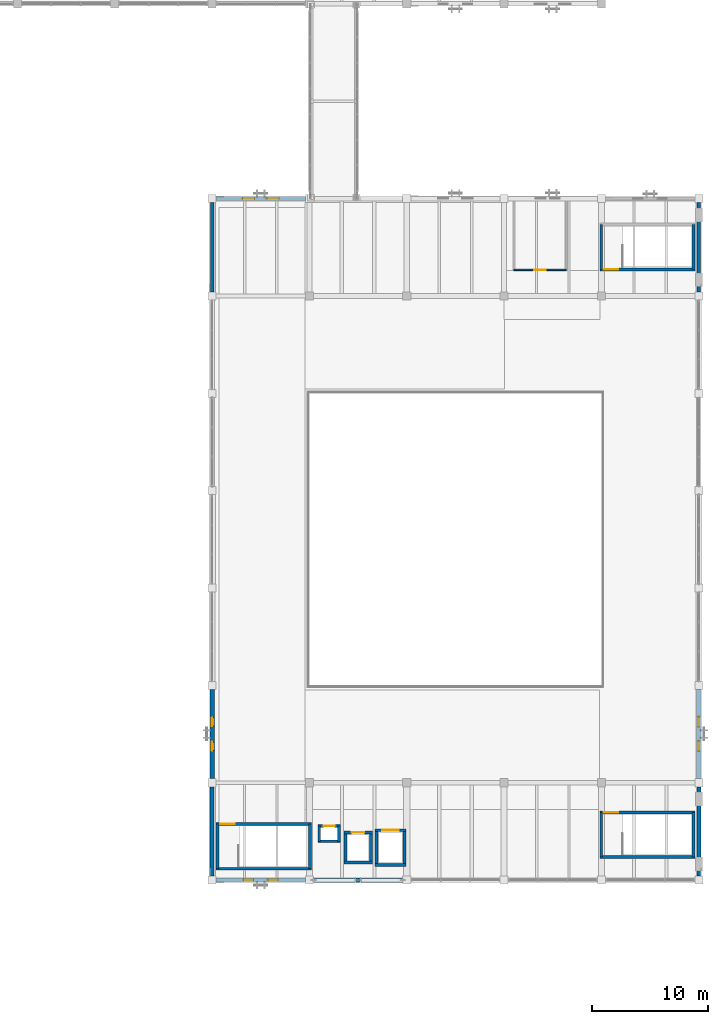
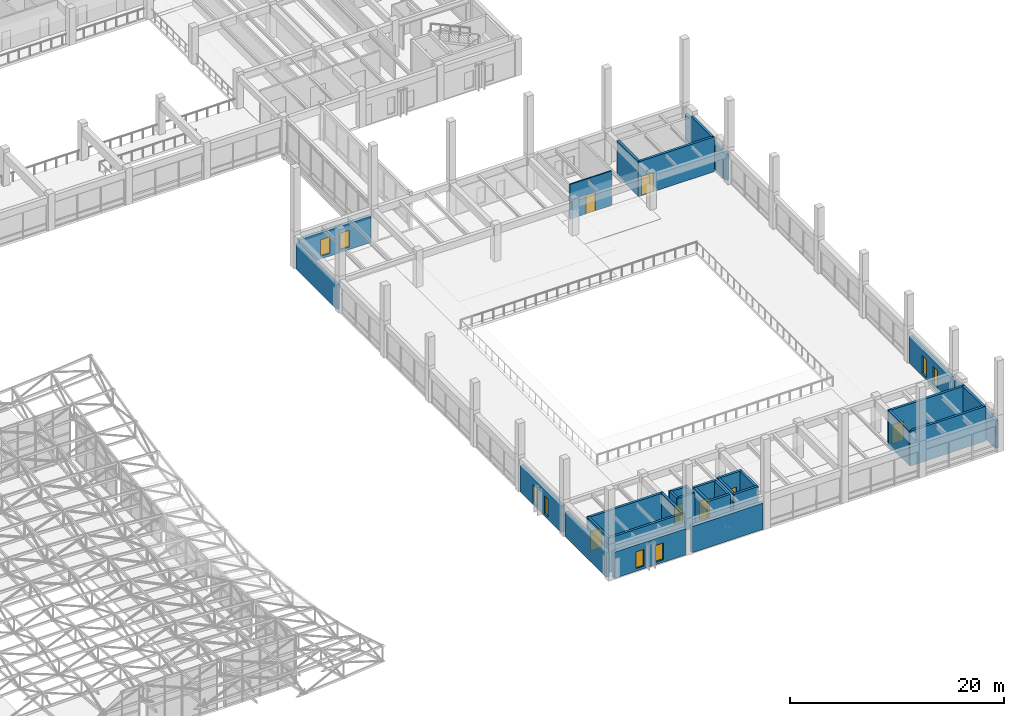
# One storey, part 94 of 132: 33 walls, 8 windows, 7 doors, 15 openings.
"""IFC4 building model written with IfcOpenShell, lengths in metres."""

from ifc_helpers import new_model, si_unit, direction, frame, frame_2d, origin, place, context, subcontext, project, spatial, rectangle, extrude, material, layer, layer_set, type_object, element, fill, save


model = new_model("IFC4")

# Units and contexts
model_context = context("Model", 3, precision=1e-05, world=origin(), true_north=direction((0.0, 1.0)))
body_context = subcontext(model_context, "Body", "Model", "MODEL_VIEW")
ifc_project = project(units=[si_unit("LENGTHUNIT", "METRE"), si_unit("AREAUNIT", "SQUARE_METRE"), si_unit("VOLUMEUNIT", "CUBIC_METRE"), si_unit("PLANEANGLEUNIT", "RADIAN"), si_unit("MASSUNIT", "GRAM", prefix="KILO")], contexts=[model_context])

# Site, building, storey
site_placement = place(None, origin())
site = spatial("IfcSite", under=ifc_project, at=site_placement, CompositionType="ELEMENT")
building_placement = place(site_placement, origin())
building = spatial("IfcBuilding", under=site, at=building_placement, Name="Cumbredor Promenade Congress Hotel", CompositionType="ELEMENT")
storey_placement = place(building_placement, frame((0.0, 0.0, 7.56005859375)))
storey = spatial("IfcBuildingStorey", under=building, at=storey_placement, Name="L02", CompositionType="ELEMENT", Elevation=7.56005859375)

# Walls
ifc_material_1 = material(Name="Concrete C40/50", Category="concrete")
ifc_layer_1 = layer(ifc_material_1, 0.300048828125, Name="Concrete C40/50", Category="concrete")
ifc_layer_set_1 = layer_set([ifc_layer_1], Name="Concrete C40/50")
wall_type_1 = type_object("IfcWallType", Name="WL-EXT-300", PredefinedType="SOLIDWALL", material=ifc_layer_set_1)
wall_1_placement = place(storey_placement, frame((142.800048828125, 59.15087890625, 0.0), z_axis=(0.0, 0.0, 1.0), x_axis=(0.0, 1.0, 0.0)))
element("IfcWall", 1, at=wall_1_placement, inside=storey, type_object=wall_type_1, Name="L02 Grand Ballroom Pavilion West Envelope Wall 7", PredefinedType="SOLIDWALL", context=body_context, shape_type="SweptSolid", body=[
    extrude(rectangle(XDim=7.6982421875, YDim=0.300048828125, at=frame_2d((3.84912109375, 0.0))), origin(), (0.0, 0.0, 1.0), 2.8349609375),
])
wall_2_placement = place(storey_placement, frame((184.800048828125, 59.15087890625, 0.0), z_axis=(0.0, 0.0, 1.0), x_axis=(0.0, 1.0, 0.0)))
element("IfcWall", 2, at=wall_2_placement, inside=storey, type_object=wall_type_1, Name="L02 Grand Ballroom Pavilion East Envelope Wall 7", PredefinedType="SOLIDWALL", context=body_context, shape_type="SweptSolid", body=[
    extrude(rectangle(XDim=7.6982421875, YDim=0.300048828125, at=frame_2d((3.84912109375, 0.0))), origin(), (0.0, 0.0, 1.0), 2.93505859375),
])

# Wall, openings, windows
ifc_layer_2 = layer(ifc_material_1, 0.35009765625, Name="Concrete C40/50", Category="concrete")
ifc_layer_set_2 = layer_set([ifc_layer_2], Name="Concrete C40/50")
wall_type_2 = type_object("IfcWallType", Name="WL-EXT-350", PredefinedType="SOLIDWALL", material=ifc_layer_set_2)
wall_3_placement = place(storey_placement, frame((143.15087890625, 8.39990234375, 0.0), z_axis=(0.0, 0.0, 1.0), x_axis=(1.0, 0.0, 0.0)))
wall_3 = element("IfcWall", 3, at=wall_3_placement, inside=storey, type_object=wall_type_2, Name="L02 Grand Ballroom Pavilion South Envelope Wall 1", PredefinedType="SOLIDWALL", context=body_context, shape_type="SweptSolid", body=[
    extrude(rectangle(XDim=7.6982421875, YDim=0.35009765625, at=frame_2d((3.84912109375, 0.0))), origin(), (0.0, 0.0, 1.0), 2.98486328125),
])
opening_1_placement = place(wall_3_placement, frame((2.3740234375, 0.0, 0.300048828125)))
opening_1 = element("IfcOpeningElement", 4, at=opening_1_placement, cuts=wall_3, Name="Opening WN-67", PredefinedType="OPENING", context=body_context, shape_type="SweptSolid", body=[
    extrude(rectangle(XDim=0.85009765625, YDim=1.89990234375, at=frame_2d((0.425048828125, 0.949951171875))), frame((0.0, 0.18505859375, 0.0), z_axis=(0.0, -1.0, 0.0), x_axis=(1.0, 0.0, 0.0)), (0.0, 0.0, 1.0), 0.3701171875),
])
opening_2_placement = place(wall_3_placement, frame((4.47412109375, 0.0, 0.300048828125)))
opening_2 = element("IfcOpeningElement", 5, at=opening_2_placement, cuts=wall_3, Name="Opening WN-67", PredefinedType="OPENING", context=body_context, shape_type="SweptSolid", body=[
    extrude(rectangle(XDim=0.85009765625, YDim=1.89990234375, at=frame_2d((0.425048828125, 0.949951171875))), frame((0.0, 0.18505859375, 0.0), z_axis=(0.0, -1.0, 0.0), x_axis=(1.0, 0.0, 0.0)), (0.0, 0.0, 1.0), 0.3701171875),
])
ifc_material_2 = material(Name="Thermally broken anodized aluminium and low-E glass", Category="aluminium")
window_type_1 = type_object("IfcWindowType", Name="Vertical Slot Window WN-67 850x1900", PartitioningType="SINGLE_PANEL", PredefinedType="WINDOW", material=ifc_material_2)
window_1_placement = place(opening_1_placement, origin())
window_1 = element("IfcWindow", 6, at=window_1_placement, inside=storey, type_object=window_type_1, Name="L02 Vertical Slot Window 0246", OverallHeight=1.89990234375, OverallWidth=0.85009765625, PartitioningType="SINGLE_PANEL", PredefinedType="WINDOW", context=body_context, shape_type="SweptSolid", body=[
    extrude(rectangle(XDim=0.85009765625, YDim=1.89990234375, at=frame_2d((0.425048828125, 0.949951171875))), frame((0.0, 0.030029296875, 0.0), z_axis=(0.0, -1.0, 0.0), x_axis=(1.0, 0.0, 0.0)), (0.0, 0.0, 1.0), 0.06005859375),
])
fill(opening_1, window_1)
window_2_placement = place(opening_2_placement, origin())
window_2 = element("IfcWindow", 7, at=window_2_placement, inside=storey, type_object=window_type_1, Name="L02 Vertical Slot Window 0247", OverallHeight=1.89990234375, OverallWidth=0.85009765625, PartitioningType="SINGLE_PANEL", PredefinedType="WINDOW", context=body_context, shape_type="SweptSolid", body=[
    extrude(rectangle(XDim=0.85009765625, YDim=1.89990234375, at=frame_2d((0.425048828125, 0.949951171875))), frame((0.0, 0.030029296875, 0.0), z_axis=(0.0, -1.0, 0.0), x_axis=(1.0, 0.0, 0.0)), (0.0, 0.0, 1.0), 0.06005859375),
])
fill(opening_2, window_2)

wall_4_placement = place(storey_placement, frame((143.15087890625, 67.199951171875, 0.0), z_axis=(0.0, 0.0, 1.0), x_axis=(1.0, 0.0, 0.0)))
wall_4 = element("IfcWall", 8, at=wall_4_placement, inside=storey, type_object=wall_type_2, Name="L02 Grand Ballroom Pavilion North Envelope Wall 1", PredefinedType="SOLIDWALL", context=body_context, shape_type="SweptSolid", body=[
    extrude(rectangle(XDim=7.6982421875, YDim=0.35009765625, at=frame_2d((3.84912109375, 0.0))), origin(), (0.0, 0.0, 1.0), 2.98486328125),
])
opening_3_placement = place(wall_4_placement, frame((2.2890625, 0.0, 0.300048828125)))
opening_3 = element("IfcOpeningElement", 9, at=opening_3_placement, cuts=wall_4, Name="Opening WN-69", PredefinedType="OPENING", context=body_context, shape_type="SweptSolid", body=[
    extrude(rectangle(XDim=1.02001953125, YDim=1.89990234375, at=frame_2d((0.510009765625, 0.949951171875))), frame((0.0, 0.18505859375, 0.0), z_axis=(0.0, -1.0, 0.0), x_axis=(1.0, 0.0, 0.0)), (0.0, 0.0, 1.0), 0.3701171875),
])
opening_4_placement = place(wall_4_placement, frame((4.388916015625, 0.0, 0.300048828125)))
opening_4 = element("IfcOpeningElement", 10, at=opening_4_placement, cuts=wall_4, Name="Opening WN-69", PredefinedType="OPENING", context=body_context, shape_type="SweptSolid", body=[
    extrude(rectangle(XDim=1.02001953125, YDim=1.89990234375, at=frame_2d((0.510009765625, 0.949951171875))), frame((0.0, 0.18505859375, 0.0), z_axis=(0.0, -1.0, 0.0), x_axis=(1.0, 0.0, 0.0)), (0.0, 0.0, 1.0), 0.3701171875),
])
window_type_2 = type_object("IfcWindowType", Name="Vertical Slot Window WN-69 1020x1900", PartitioningType="SINGLE_PANEL", PredefinedType="WINDOW", material=ifc_material_2)
window_3_placement = place(opening_3_placement, origin())
window_3 = element("IfcWindow", 11, at=window_3_placement, inside=storey, type_object=window_type_2, Name="L02 Vertical Slot Window 0248", OverallHeight=1.89990234375, OverallWidth=1.02001953125, PartitioningType="SINGLE_PANEL", PredefinedType="WINDOW", context=body_context, shape_type="SweptSolid", body=[
    extrude(rectangle(XDim=1.02001953125, YDim=1.89990234375, at=frame_2d((0.510009765625, 0.949951171875))), frame((0.0, 0.030029296875, 0.0), z_axis=(0.0, -1.0, 0.0), x_axis=(1.0, 0.0, 0.0)), (0.0, 0.0, 1.0), 0.06005859375),
])
fill(opening_3, window_3)
window_4_placement = place(opening_4_placement, origin())
window_4 = element("IfcWindow", 12, at=window_4_placement, inside=storey, type_object=window_type_2, Name="L02 Vertical Slot Window 0249", OverallHeight=1.89990234375, OverallWidth=1.02001953125, PartitioningType="SINGLE_PANEL", PredefinedType="WINDOW", context=body_context, shape_type="SweptSolid", body=[
    extrude(rectangle(XDim=1.02001953125, YDim=1.89990234375, at=frame_2d((0.510009765625, 0.949951171875))), frame((0.0, 0.030029296875, 0.0), z_axis=(0.0, -1.0, 0.0), x_axis=(1.0, 0.0, 0.0)), (0.0, 0.0, 1.0), 0.06005859375),
])
fill(opening_4, window_4)

# Walls
wall_5_placement = place(storey_placement, frame((142.800048828125, 8.7509765625, 0.0), z_axis=(0.0, 0.0, 1.0), x_axis=(0.0, 1.0, 0.0)))
element("IfcWall", 13, at=wall_5_placement, inside=storey, type_object=wall_type_2, Name="L02 Grand Ballroom Pavilion West Envelope Wall 1", PredefinedType="SOLIDWALL", context=body_context, shape_type="SweptSolid", body=[
    extrude(rectangle(XDim=7.697998046875, YDim=0.35009765625, at=frame_2d((3.84912109375, 0.0))), origin(), (0.0, 0.0, 1.0), 2.8349609375),
])
wall_6_placement = place(storey_placement, frame((184.800048828125, 8.7509765625, 0.0), z_axis=(0.0, 0.0, 1.0), x_axis=(0.0, 1.0, 0.0)))
element("IfcWall", 14, at=wall_6_placement, inside=storey, type_object=wall_type_2, Name="L02 Grand Ballroom Pavilion East Envelope Wall 1", PredefinedType="SOLIDWALL", context=body_context, shape_type="SweptSolid", body=[
    extrude(rectangle(XDim=7.697998046875, YDim=0.35009765625, at=frame_2d((3.84912109375, 0.0))), origin(), (0.0, 0.0, 1.0), 3.135009765625),
])
ifc_layer_3 = layer(ifc_material_1, 0.3798828125, Name="Concrete C40/50", Category="concrete")
ifc_layer_set_3 = layer_set([ifc_layer_3], Name="Concrete C40/50")
wall_type_3 = type_object("IfcWallType", Name="WL-EXT-380", PredefinedType="SOLIDWALL", material=ifc_layer_set_3)
wall_7_placement = place(storey_placement, frame((151.551025390625, 8.39990234375, 0.0), z_axis=(0.0, 0.0, 1.0), x_axis=(1.0, 0.0, 0.0)))
element("IfcWall", 15, at=wall_7_placement, inside=storey, type_object=wall_type_3, Name="L02 Grand Ballroom Pavilion South Envelope Wall 2", PredefinedType="SOLIDWALL", context=body_context, shape_type="SweptSolid", body=[
    extrude(rectangle(XDim=7.697998046875, YDim=0.3798828125, at=frame_2d((3.84912109375, 0.0))), origin(), (0.0, 0.0, 1.0), 2.98486328125),
])

# Wall, openings, windows
wall_8_placement = place(storey_placement, frame((142.800048828125, 17.15087890625, 0.0), z_axis=(0.0, 0.0, 1.0), x_axis=(0.0, 1.0, 0.0)))
wall_8 = element("IfcWall", 16, at=wall_8_placement, inside=storey, type_object=wall_type_3, Name="L02 Grand Ballroom Pavilion West Envelope Wall 2", PredefinedType="SOLIDWALL", context=body_context, shape_type="SweptSolid", body=[
    extrude(rectangle(XDim=7.6982421875, YDim=0.3798828125, at=frame_2d((3.84912109375, 0.0))), origin(), (0.0, 0.0, 1.0), 3.034912109375),
])
opening_5_placement = place(wall_8_placement, frame((2.428955078125, 0.0, 0.300048828125)))
opening_5 = element("IfcOpeningElement", 17, at=opening_5_placement, cuts=wall_8, Name="Opening WN-53", PredefinedType="OPENING", context=body_context, shape_type="SweptSolid", body=[
    extrude(rectangle(XDim=0.739990234375, YDim=2.050048828125, at=frame_2d((0.3701171875, 1.02490234375))), frame((0.0, 0.199951171875, 0.0), z_axis=(0.0, -1.0, 0.0), x_axis=(1.0, 0.0, 0.0)), (0.0, 0.0, 1.0), 0.39990234375),
])
opening_6_placement = place(wall_8_placement, frame((4.529052734375, 0.0, 0.300048828125)))
opening_6 = element("IfcOpeningElement", 18, at=opening_6_placement, cuts=wall_8, Name="Opening WN-53", PredefinedType="OPENING", context=body_context, shape_type="SweptSolid", body=[
    extrude(rectangle(XDim=0.739990234375, YDim=2.050048828125, at=frame_2d((0.3701171875, 1.02490234375))), frame((0.0, 0.199951171875, 0.0), z_axis=(0.0, -1.0, 0.0), x_axis=(1.0, 0.0, 0.0)), (0.0, 0.0, 1.0), 0.39990234375),
])
window_type_3 = type_object("IfcWindowType", Name="Vertical Slot Window WN-53 740x2050", PartitioningType="SINGLE_PANEL", PredefinedType="WINDOW", material=ifc_material_2)
window_5_placement = place(opening_5_placement, origin())
window_5 = element("IfcWindow", 19, at=window_5_placement, inside=storey, type_object=window_type_3, Name="L02 Vertical Slot Window 0256", OverallHeight=2.050048828125, OverallWidth=0.739990234375, PartitioningType="SINGLE_PANEL", PredefinedType="WINDOW", context=body_context, shape_type="SweptSolid", body=[
    extrude(rectangle(XDim=0.739990234375, YDim=2.050048828125, at=frame_2d((0.3701171875, 1.02490234375))), frame((0.0, 0.030029296875, 0.0), z_axis=(0.0, -1.0, 0.0), x_axis=(1.0, 0.0, 0.0)), (0.0, 0.0, 1.0), 0.06005859375),
])
fill(opening_5, window_5)
window_6_placement = place(opening_6_placement, origin())
window_6 = element("IfcWindow", 20, at=window_6_placement, inside=storey, type_object=window_type_3, Name="L02 Vertical Slot Window 0257", OverallHeight=2.050048828125, OverallWidth=0.739990234375, PartitioningType="SINGLE_PANEL", PredefinedType="WINDOW", context=body_context, shape_type="SweptSolid", body=[
    extrude(rectangle(XDim=0.739990234375, YDim=2.050048828125, at=frame_2d((0.3701171875, 1.02490234375))), frame((0.0, 0.030029296875, 0.0), z_axis=(0.0, -1.0, 0.0), x_axis=(1.0, 0.0, 0.0)), (0.0, 0.0, 1.0), 0.06005859375),
])
fill(opening_6, window_6)

wall_9_placement = place(storey_placement, frame((184.800048828125, 17.15087890625, 0.0), z_axis=(0.0, 0.0, 1.0), x_axis=(0.0, 1.0, 0.0)))
wall_9 = element("IfcWall", 21, at=wall_9_placement, inside=storey, type_object=wall_type_3, Name="L02 Grand Ballroom Pavilion East Envelope Wall 2", PredefinedType="SOLIDWALL", context=body_context, shape_type="SweptSolid", body=[
    extrude(rectangle(XDim=7.6982421875, YDim=0.3798828125, at=frame_2d((3.84912109375, 0.0))), origin(), (0.0, 0.0, 1.0), 3.034912109375),
])
opening_7_placement = place(wall_9_placement, frame((2.368896484375, 0.0, 0.300048828125)))
opening_7 = element("IfcOpeningElement", 22, at=opening_7_placement, cuts=wall_9, Name="Opening WN-55", PredefinedType="OPENING", context=body_context, shape_type="SweptSolid", body=[
    extrude(rectangle(XDim=0.860107421875, YDim=2.050048828125, at=frame_2d((0.43017578125, 1.02490234375))), frame((0.0, 0.199951171875, 0.0), z_axis=(0.0, -1.0, 0.0), x_axis=(1.0, 0.0, 0.0)), (0.0, 0.0, 1.0), 0.39990234375),
])
opening_8_placement = place(wall_9_placement, frame((4.468994140625, 0.0, 0.300048828125)))
opening_8 = element("IfcOpeningElement", 23, at=opening_8_placement, cuts=wall_9, Name="Opening WN-55", PredefinedType="OPENING", context=body_context, shape_type="SweptSolid", body=[
    extrude(rectangle(XDim=0.860107421875, YDim=2.050048828125, at=frame_2d((0.43017578125, 1.02490234375))), frame((0.0, 0.199951171875, 0.0), z_axis=(0.0, -1.0, 0.0), x_axis=(1.0, 0.0, 0.0)), (0.0, 0.0, 1.0), 0.39990234375),
])
window_type_4 = type_object("IfcWindowType", Name="Vertical Slot Window WN-55 860x2050", PartitioningType="SINGLE_PANEL", PredefinedType="WINDOW", material=ifc_material_2)
window_7_placement = place(opening_7_placement, origin())
window_7 = element("IfcWindow", 24, at=window_7_placement, inside=storey, type_object=window_type_4, Name="L02 Vertical Slot Window 0258", OverallHeight=2.050048828125, OverallWidth=0.860107421875, PartitioningType="SINGLE_PANEL", PredefinedType="WINDOW", context=body_context, shape_type="SweptSolid", body=[
    extrude(rectangle(XDim=0.860107421875, YDim=2.050048828125, at=frame_2d((0.43017578125, 1.02490234375))), frame((0.0, 0.030029296875, 0.0), z_axis=(0.0, -1.0, 0.0), x_axis=(1.0, 0.0, 0.0)), (0.0, 0.0, 1.0), 0.06005859375),
])
fill(opening_7, window_7)
window_8_placement = place(opening_8_placement, origin())
window_8 = element("IfcWindow", 25, at=window_8_placement, inside=storey, type_object=window_type_4, Name="L02 Vertical Slot Window 0259", OverallHeight=2.050048828125, OverallWidth=0.860107421875, PartitioningType="SINGLE_PANEL", PredefinedType="WINDOW", context=body_context, shape_type="SweptSolid", body=[
    extrude(rectangle(XDim=0.860107421875, YDim=2.050048828125, at=frame_2d((0.43017578125, 1.02490234375))), frame((0.0, 0.030029296875, 0.0), z_axis=(0.0, -1.0, 0.0), x_axis=(1.0, 0.0, 0.0)), (0.0, 0.0, 1.0), 0.06005859375),
])
fill(opening_8, window_8)

# Wall, opening, door
ifc_material_3 = material(Name="Acoustic gypsum partition on steel studs", Category="steel")
ifc_layer_4 = layer(ifc_material_3, 0.139892578125, Name="Acoustic gypsum partition on steel studs", Category="steel")
ifc_layer_set_4 = layer_set([ifc_layer_4], Name="Acoustic gypsum partition on steel studs")
wall_type_4 = type_object("IfcWallType", Name="WL-PART-140", PredefinedType="PARTITIONING", material=ifc_layer_set_4)
wall_10_placement = place(storey_placement, frame((168.85009765625, 61.050048828125, 0.0), z_axis=(0.0, 0.0, 1.0), x_axis=(1.0, 0.0, 0.0)))
wall_10 = element("IfcWall", 26, at=wall_10_placement, inside=storey, type_object=wall_type_4, Name="L02 Interior Partition W-L02-V2-WC", PredefinedType="PARTITIONING", context=body_context, shape_type="SweptSolid", body=[
    extrude(rectangle(XDim=4.5, YDim=0.139892578125, at=frame_2d((2.25, 0.0))), origin(), (0.0, 0.0, 1.0), 3.96484375),
])
opening_9_placement = place(wall_10_placement, frame((1.75, 0.0, 0.0)))
opening_9 = element("IfcOpeningElement", 27, at=opening_9_placement, cuts=wall_10, Name="Opening ID-03", PredefinedType="OPENING", context=body_context, shape_type="SweptSolid", body=[
    extrude(rectangle(XDim=1.0, YDim=2.10009765625, at=frame_2d((0.5, 1.050048828125))), frame((0.0, 0.080078125, 0.0), z_axis=(0.0, -1.0, 0.0), x_axis=(1.0, 0.0, 0.0)), (0.0, 0.0, 1.0), 0.159912109375),
])
ifc_material_4 = material(Name="Kiln-dried tropical hardwood", Category="wood")
door_type_1 = type_object("IfcDoorType", Name="DR-ACC-1000", OperationType="NOTDEFINED", PredefinedType="DOOR", material=ifc_material_4)
door_1_placement = place(opening_9_placement, origin())
door_1 = element("IfcDoor", 28, at=door_1_placement, inside=storey, type_object=door_type_1, Name="L02 Interior Door W-L02-V2-WC-01", OperationType="SINGLE_SWING_RIGHT", OverallHeight=2.10009765625, OverallWidth=1.0, PredefinedType="DOOR", context=body_context, shape_type="SweptSolid", body=[
    extrude(rectangle(XDim=1.0, YDim=2.10009765625, at=frame_2d((0.5, 1.050048828125))), frame((0.0, 0.02490234375, 0.0), z_axis=(0.0, -1.0, 0.0), x_axis=(1.0, 0.0, 0.0)), (0.0, 0.0, 1.0), 0.050048828125),
])
fill(opening_9, door_1)

# Wall
ifc_layer_5 = layer(ifc_material_1, 0.2548828125, Name="Concrete C40/50", Category="concrete")
ifc_layer_set_5 = layer_set([ifc_layer_5], Name="Concrete C40/50")
wall_type_5 = type_object("IfcWallType", Name="WL-SHAFT-250", PredefinedType="SOLIDWALL", material=ifc_layer_set_5)
wall_11_placement = place(storey_placement, frame((143.152587890625, 9.3798828125, 0.0), z_axis=(0.0, 0.0, 1.0), x_axis=(1.0, 0.0, 0.0)))
element("IfcWall", 29, at=wall_11_placement, inside=storey, type_object=wall_type_5, Name="STAIR-ST-08-L02 Shaft Wall South", PredefinedType="SOLIDWALL", context=body_context, shape_type="SweptSolid", body=[
    extrude(rectangle(XDim=8.224853515625, YDim=0.2548828125, at=frame_2d((4.1123046875, 0.0))), origin(), (0.0, 0.0, 1.0), 3.96484375),
])

# Wall, opening, door
wall_12_placement = place(storey_placement, frame((143.152587890625, 13.25, 0.0), z_axis=(0.0, 0.0, 1.0), x_axis=(1.0, 0.0, 0.0)))
wall_12 = element("IfcWall", 30, at=wall_12_placement, inside=storey, type_object=wall_type_5, Name="STAIR-ST-08-L02 Shaft Wall North", PredefinedType="SOLIDWALL", context=body_context, shape_type="SweptSolid", body=[
    extrude(rectangle(XDim=8.224853515625, YDim=0.2548828125, at=frame_2d((4.1123046875, 0.0))), origin(), (0.0, 0.0, 1.0), 3.96484375),
])
opening_10_placement = place(wall_12_placement, frame((0.35009765625, 0.0, 0.0)))
opening_10 = element("IfcOpeningElement", 31, at=opening_10_placement, cuts=wall_12, Name="Opening SD-02", PredefinedType="OPENING", context=body_context, shape_type="SweptSolid", body=[
    extrude(rectangle(XDim=1.25, YDim=2.199951171875, at=frame_2d((0.625, 1.10009765625))), frame((0.0, 0.137451171875, 0.0), z_axis=(0.0, -1.0, 0.0), x_axis=(1.0, 0.0, 0.0)), (0.0, 0.0, 1.0), 0.27490234375),
])
ifc_material_5 = material(Name="Painted galvanized steel fire door", Category="steel")
door_type_2 = type_object("IfcDoorType", Name="DR-STAIR-FD90-1250", OperationType="NOTDEFINED", PredefinedType="DOOR", material=ifc_material_5)
door_2_placement = place(opening_10_placement, origin())
door_2 = element("IfcDoor", 32, at=door_2_placement, inside=storey, type_object=door_type_2, Name="L02 Protected Exit Stair ST-08 Door", OperationType="SINGLE_SWING_LEFT", OverallHeight=2.199951171875, OverallWidth=1.25, PredefinedType="DOOR", context=body_context, shape_type="SweptSolid", body=[
    extrude(rectangle(XDim=1.25, YDim=2.199951171875, at=frame_2d((0.625, 1.10009765625))), frame((0.0, 0.02490234375, 0.0), z_axis=(0.0, -1.0, 0.0), x_axis=(1.0, 0.0, 0.0)), (0.0, 0.0, 1.0), 0.050048828125),
])
fill(opening_10, door_2)

# Walls
for number, where, z_axis, x_axis, name in (
    (33, (143.280029296875, 9.3798828125, 0.0), (0.0, 0.0, 1.0), (0.0, 1.0, 0.0), "STAIR-ST-08-L02 Shaft Wall West"),
    (34, (151.25, 9.3798828125, 0.0), (0.0, 0.0, 1.0), (0.0, 1.0, 0.0), "STAIR-ST-08-L02 Shaft Wall East"),
):
    element("IfcWall", number, at=place(storey_placement, frame(where, z_axis=z_axis, x_axis=x_axis)), inside=storey, type_object=wall_type_5, Name=name, PredefinedType="SOLIDWALL", context=body_context, shape_type="SweptSolid", body=[
        extrude(rectangle(XDim=3.8701171875, YDim=0.2548828125, at=frame_2d((1.93505859375, 0.0))), origin(), (0.0, 0.0, 1.0), 3.96484375),
    ])
wall_13_placement = place(storey_placement, frame((176.25244140625, 10.3798828125, 0.0), z_axis=(0.0, 0.0, 1.0), x_axis=(1.0, 0.0, 0.0)))
element("IfcWall", 35, at=wall_13_placement, inside=storey, type_object=wall_type_5, Name="STAIR-ST-09-L02 Shaft Wall South", PredefinedType="SOLIDWALL", context=body_context, shape_type="SweptSolid", body=[
    extrude(rectangle(XDim=8.22509765625, YDim=0.2548828125, at=frame_2d((4.112548828125, 0.0))), origin(), (0.0, 0.0, 1.0), 3.96484375),
])

# Wall, opening, door
wall_14_placement = place(storey_placement, frame((176.25244140625, 14.25, 0.0), z_axis=(0.0, 0.0, 1.0), x_axis=(1.0, 0.0, 0.0)))
wall_14 = element("IfcWall", 36, at=wall_14_placement, inside=storey, type_object=wall_type_5, Name="STAIR-ST-09-L02 Shaft Wall North", PredefinedType="SOLIDWALL", context=body_context, shape_type="SweptSolid", body=[
    extrude(rectangle(XDim=8.22509765625, YDim=0.2548828125, at=frame_2d((4.112548828125, 0.0))), origin(), (0.0, 0.0, 1.0), 3.96484375),
])
opening_11_placement = place(wall_14_placement, frame((0.35009765625, 0.0, 0.0)))
opening_11 = element("IfcOpeningElement", 37, at=opening_11_placement, cuts=wall_14, Name="Opening SD-02", PredefinedType="OPENING", context=body_context, shape_type="SweptSolid", body=[
    extrude(rectangle(XDim=1.25, YDim=2.199951171875, at=frame_2d((0.625, 1.10009765625))), frame((0.0, 0.137451171875, 0.0), z_axis=(0.0, -1.0, 0.0), x_axis=(1.0, 0.0, 0.0)), (0.0, 0.0, 1.0), 0.27490234375),
])
door_3_placement = place(opening_11_placement, origin())
door_3 = element("IfcDoor", 38, at=door_3_placement, inside=storey, type_object=door_type_2, Name="L02 Protected Exit Stair ST-09 Door", OperationType="SINGLE_SWING_RIGHT", OverallHeight=2.199951171875, OverallWidth=1.25, PredefinedType="DOOR", context=body_context, shape_type="SweptSolid", body=[
    extrude(rectangle(XDim=1.25, YDim=2.199951171875, at=frame_2d((0.625, 1.10009765625))), frame((0.0, 0.02490234375, 0.0), z_axis=(0.0, -1.0, 0.0), x_axis=(1.0, 0.0, 0.0)), (0.0, 0.0, 1.0), 0.050048828125),
])
fill(opening_11, door_3)

# Walls
for number, where, z_axis, x_axis, name in (
    (39, (176.3798828125, 10.3798828125, 0.0), (0.0, 0.0, 1.0), (0.0, 1.0, 0.0), "STAIR-ST-09-L02 Shaft Wall West"),
    (40, (184.35009765625, 10.3798828125, 0.0), (0.0, 0.0, 1.0), (0.0, 1.0, 0.0), "STAIR-ST-09-L02 Shaft Wall East"),
):
    element("IfcWall", number, at=place(storey_placement, frame(where, z_axis=z_axis, x_axis=x_axis)), inside=storey, type_object=wall_type_5, Name=name, PredefinedType="SOLIDWALL", context=body_context, shape_type="SweptSolid", body=[
        extrude(rectangle(XDim=3.8701171875, YDim=0.2548828125, at=frame_2d((1.93505859375, 0.0))), origin(), (0.0, 0.0, 1.0), 3.96484375),
    ])

# Wall, opening, door
wall_15_placement = place(storey_placement, frame((176.25244140625, 61.10009765625, 0.0), z_axis=(0.0, 0.0, 1.0), x_axis=(1.0, 0.0, 0.0)))
wall_15 = element("IfcWall", 41, at=wall_15_placement, inside=storey, type_object=wall_type_5, Name="STAIR-ST-10-L02 Shaft Wall South", PredefinedType="SOLIDWALL", context=body_context, shape_type="SweptSolid", body=[
    extrude(rectangle(XDim=8.22509765625, YDim=0.2548828125, at=frame_2d((4.112548828125, 0.0))), origin(), (0.0, 0.0, 1.0), 3.96484375),
])
opening_12_placement = place(wall_15_placement, frame((0.35009765625, 0.0, 0.0)))
opening_12 = element("IfcOpeningElement", 42, at=opening_12_placement, cuts=wall_15, Name="Opening SD-02", PredefinedType="OPENING", context=body_context, shape_type="SweptSolid", body=[
    extrude(rectangle(XDim=1.25, YDim=2.199951171875, at=frame_2d((0.625, 1.10009765625))), frame((0.0, 0.137451171875, 0.0), z_axis=(0.0, -1.0, 0.0), x_axis=(1.0, 0.0, 0.0)), (0.0, 0.0, 1.0), 0.27490234375),
])
door_4_placement = place(opening_12_placement, origin())
door_4 = element("IfcDoor", 43, at=door_4_placement, inside=storey, type_object=door_type_2, Name="L02 Protected Exit Stair ST-10 Door", OperationType="SINGLE_SWING_LEFT", OverallHeight=2.199951171875, OverallWidth=1.25, PredefinedType="DOOR", context=body_context, shape_type="SweptSolid", body=[
    extrude(rectangle(XDim=1.25, YDim=2.199951171875, at=frame_2d((0.625, 1.10009765625))), frame((0.0, 0.02490234375, 0.0), z_axis=(0.0, -1.0, 0.0), x_axis=(1.0, 0.0, 0.0)), (0.0, 0.0, 1.0), 0.050048828125),
])
fill(opening_12, door_4)

# Walls
for number, where, z_axis, x_axis, name in (
    (44, (176.3798828125, 61.10009765625, 0.0), (0.0, 0.0, 1.0), (0.0, 1.0, 0.0), "STAIR-ST-10-L02 Shaft Wall West"),
    (45, (184.35009765625, 61.10009765625, 0.0), (0.0, 0.0, 1.0), (0.0, 1.0, 0.0), "STAIR-ST-10-L02 Shaft Wall East"),
):
    element("IfcWall", number, at=place(storey_placement, frame(where, z_axis=z_axis, x_axis=x_axis)), inside=storey, type_object=wall_type_5, Name=name, PredefinedType="SOLIDWALL", context=body_context, shape_type="SweptSolid", body=[
        extrude(rectangle(XDim=3.849853515625, YDim=0.2548828125, at=frame_2d((1.9248046875, 0.0))), origin(), (0.0, 0.0, 1.0), 3.96484375),
    ])
wall_16_placement = place(storey_placement, frame((154.172607421875, 9.89990234375, 0.0), z_axis=(0.0, 0.0, 1.0), x_axis=(1.0, 0.0, 0.0)))
element("IfcWall", 46, at=wall_16_placement, inside=storey, type_object=wall_type_5, Name="SHAFT-PL-07-L02 Shaft Wall South", PredefinedType="SOLIDWALL", context=body_context, shape_type="SweptSolid", body=[
    extrude(rectangle(XDim=2.454833984375, YDim=0.2548828125, at=frame_2d((1.2275390625, 0.0))), origin(), (0.0, 0.0, 1.0), 3.96484375),
])

# Wall, opening, door
wall_17_placement = place(storey_placement, frame((154.172607421875, 12.5, 0.0), z_axis=(0.0, 0.0, 1.0), x_axis=(1.0, 0.0, 0.0)))
wall_17 = element("IfcWall", 47, at=wall_17_placement, inside=storey, type_object=wall_type_5, Name="SHAFT-PL-07-L02 Shaft Wall North", PredefinedType="SOLIDWALL", context=body_context, shape_type="SweptSolid", body=[
    extrude(rectangle(XDim=2.454833984375, YDim=0.2548828125, at=frame_2d((1.2275390625, 0.0))), origin(), (0.0, 0.0, 1.0), 3.96484375),
])
opening_13_placement = place(wall_17_placement, frame((0.677490234375, 0.0, 0.0)))
opening_13 = element("IfcOpeningElement", 48, at=opening_13_placement, cuts=wall_17, Name="Opening LD-01", PredefinedType="OPENING", context=body_context, shape_type="SweptSolid", body=[
    extrude(rectangle(XDim=1.10009765625, YDim=2.14990234375, at=frame_2d((0.550048828125, 1.074951171875))), frame((0.0, 0.137451171875, 0.0), z_axis=(0.0, -1.0, 0.0), x_axis=(1.0, 0.0, 0.0)), (0.0, 0.0, 1.0), 0.27490234375),
])
ifc_material_6 = material(Name="Brushed stainless steel", Category="steel")
door_type_3 = type_object("IfcDoorType", Name="Lift Landing Sliding Door LD-01 1100x2150", OperationType="DOUBLE_DOOR_SLIDING", PredefinedType="DOOR", material=ifc_material_6)
door_5_placement = place(opening_13_placement, origin())
door_5 = element("IfcDoor", 49, at=door_5_placement, inside=storey, type_object=door_type_3, Name="L02 Ballroom Passenger Lift PL-07 Sliding Landing Door", OperationType="DOUBLE_DOOR_SLIDING", OverallHeight=2.14990234375, OverallWidth=1.10009765625, PredefinedType="DOOR", context=body_context, shape_type="SweptSolid", body=[
    extrude(rectangle(XDim=1.10009765625, YDim=2.14990234375, at=frame_2d((0.550048828125, 1.074951171875))), frame((0.0, 0.02490234375, 0.0), z_axis=(0.0, -1.0, 0.0), x_axis=(1.0, 0.0, 0.0)), (0.0, 0.0, 1.0), 0.050048828125),
])
fill(opening_13, door_5)

# Walls
for number, where, z_axis, x_axis, name in (
    (50, (154.300048828125, 9.89990234375, 0.0), (0.0, 0.0, 1.0), (0.0, 1.0, 0.0), "SHAFT-PL-07-L02 Shaft Wall West"),
    (51, (156.5, 9.89990234375, 0.0), (0.0, 0.0, 1.0), (0.0, 1.0, 0.0), "SHAFT-PL-07-L02 Shaft Wall East"),
):
    element("IfcWall", number, at=place(storey_placement, frame(where, z_axis=z_axis, x_axis=x_axis)), inside=storey, type_object=wall_type_5, Name=name, PredefinedType="SOLIDWALL", context=body_context, shape_type="SweptSolid", body=[
        extrude(rectangle(XDim=2.60009765625, YDim=0.2548828125, at=frame_2d((1.300048828125, 0.0))), origin(), (0.0, 0.0, 1.0), 3.96484375),
    ])
wall_18_placement = place(storey_placement, frame((156.87255859375, 9.699951171875, 0.0), z_axis=(0.0, 0.0, 1.0), x_axis=(1.0, 0.0, 0.0)))
element("IfcWall", 52, at=wall_18_placement, inside=storey, type_object=wall_type_5, Name="SHAFT-SV-02-L02 Shaft Wall South", PredefinedType="SOLIDWALL", context=body_context, shape_type="SweptSolid", body=[
    extrude(rectangle(XDim=2.655029296875, YDim=0.2548828125, at=frame_2d((1.32763671875, 0.0))), origin(), (0.0, 0.0, 1.0), 3.96484375),
])

# Wall, opening, door
wall_19_placement = place(storey_placement, frame((156.87255859375, 12.699951171875, 0.0), z_axis=(0.0, 0.0, 1.0), x_axis=(1.0, 0.0, 0.0)))
wall_19 = element("IfcWall", 53, at=wall_19_placement, inside=storey, type_object=wall_type_5, Name="SHAFT-SV-02-L02 Shaft Wall North", PredefinedType="SOLIDWALL", context=body_context, shape_type="SweptSolid", body=[
    extrude(rectangle(XDim=2.655029296875, YDim=0.2548828125, at=frame_2d((1.32763671875, 0.0))), origin(), (0.0, 0.0, 1.0), 3.96484375),
])
opening_14_placement = place(wall_19_placement, frame((0.62744140625, 0.0, 0.0)))
opening_14 = element("IfcOpeningElement", 54, at=opening_14_placement, cuts=wall_19, Name="Opening LD-03", PredefinedType="OPENING", context=body_context, shape_type="SweptSolid", body=[
    extrude(rectangle(XDim=1.39990234375, YDim=2.300048828125, at=frame_2d((0.699951171875, 1.14990234375))), frame((0.0, 0.137451171875, 0.0), z_axis=(0.0, -1.0, 0.0), x_axis=(1.0, 0.0, 0.0)), (0.0, 0.0, 1.0), 0.27490234375),
])
door_type_4 = type_object("IfcDoorType", Name="Service Lift Sliding Door LD-03 1400x2300", OperationType="DOUBLE_DOOR_SLIDING", PredefinedType="DOOR", material=ifc_material_6)
door_6_placement = place(opening_14_placement, origin())
door_6 = element("IfcDoor", 55, at=door_6_placement, inside=storey, type_object=door_type_4, Name="L02 Ballroom Service Lift SV-02 Sliding Landing Door", OperationType="DOUBLE_DOOR_SLIDING", OverallHeight=2.300048828125, OverallWidth=1.39990234375, PredefinedType="DOOR", context=body_context, shape_type="SweptSolid", body=[
    extrude(rectangle(XDim=1.39990234375, YDim=2.300048828125, at=frame_2d((0.699951171875, 1.14990234375))), frame((0.0, 0.02490234375, 0.0), z_axis=(0.0, -1.0, 0.0), x_axis=(1.0, 0.0, 0.0)), (0.0, 0.0, 1.0), 0.050048828125),
])
fill(opening_14, door_6)

# Walls
for number, where, z_axis, x_axis, name in (
    (56, (157.0, 9.699951171875, 0.0), (0.0, 0.0, 1.0), (0.0, 1.0, 0.0), "SHAFT-SV-02-L02 Shaft Wall West"),
    (57, (159.39990234375, 9.699951171875, 0.0), (0.0, 0.0, 1.0), (0.0, 1.0, 0.0), "SHAFT-SV-02-L02 Shaft Wall East"),
):
    element("IfcWall", number, at=place(storey_placement, frame(where, z_axis=z_axis, x_axis=x_axis)), inside=storey, type_object=wall_type_5, Name=name, PredefinedType="SOLIDWALL", context=body_context, shape_type="SweptSolid", body=[
        extrude(rectangle(XDim=3.0, YDim=0.2548828125, at=frame_2d((1.5, 0.0))), origin(), (0.0, 0.0, 1.0), 3.96484375),
    ])
wall_20_placement = place(storey_placement, frame((151.922607421875, 11.75, 0.0), z_axis=(0.0, 0.0, 1.0), x_axis=(1.0, 0.0, 0.0)))
element("IfcWall", 58, at=wall_20_placement, inside=storey, type_object=wall_type_5, Name="RISER-MEP-R3-L02 Shaft Wall South", PredefinedType="SOLIDWALL", context=body_context, shape_type="SweptSolid", body=[
    extrude(rectangle(XDim=1.954833984375, YDim=0.2548828125, at=frame_2d((0.9775390625, 0.0))), origin(), (0.0, 0.0, 1.0), 3.96484375),
])

# Wall, opening, door
wall_21_placement = place(storey_placement, frame((151.922607421875, 13.050048828125, 0.0), z_axis=(0.0, 0.0, 1.0), x_axis=(1.0, 0.0, 0.0)))
wall_21 = element("IfcWall", 59, at=wall_21_placement, inside=storey, type_object=wall_type_5, Name="RISER-MEP-R3-L02 Shaft Wall North", PredefinedType="SOLIDWALL", context=body_context, shape_type="SweptSolid", body=[
    extrude(rectangle(XDim=1.954833984375, YDim=0.2548828125, at=frame_2d((0.9775390625, 0.0))), origin(), (0.0, 0.0, 1.0), 3.96484375),
])
opening_15_placement = place(wall_21_placement, frame((0.507568359375, 0.0, 0.0)))
opening_15 = element("IfcOpeningElement", 60, at=opening_15_placement, cuts=wall_21, Name="Opening FD-03", PredefinedType="OPENING", context=body_context, shape_type="SweptSolid", body=[
    extrude(rectangle(XDim=0.93994140625, YDim=2.10009765625, at=frame_2d((0.469970703125, 1.050048828125))), frame((0.0, 0.137451171875, 0.0), z_axis=(0.0, -1.0, 0.0), x_axis=(1.0, 0.0, 0.0)), (0.0, 0.0, 1.0), 0.27490234375),
])
door_type_5 = type_object("IfcDoorType", Name="DR-SGL-FD60-950", OperationType="NOTDEFINED", PredefinedType="DOOR", material=ifc_material_5)
door_7_placement = place(opening_15_placement, origin())
door_7 = element("IfcDoor", 61, at=door_7_placement, inside=storey, type_object=door_type_5, Name="L02 Ballroom MEP Riser Shaft R3 Access Door", OperationType="SINGLE_SWING_LEFT", OverallHeight=2.10009765625, OverallWidth=0.93994140625, PredefinedType="DOOR", context=body_context, shape_type="SweptSolid", body=[
    extrude(rectangle(XDim=0.93994140625, YDim=2.10009765625, at=frame_2d((0.469970703125, 1.050048828125))), frame((0.0, 0.02490234375, 0.0), z_axis=(0.0, -1.0, 0.0), x_axis=(1.0, 0.0, 0.0)), (0.0, 0.0, 1.0), 0.050048828125),
])
fill(opening_15, door_7)

# Walls
for number, where, z_axis, x_axis, name in (
    (62, (152.050048828125, 11.75, 0.0), (0.0, 0.0, 1.0), (0.0, 1.0, 0.0), "RISER-MEP-R3-L02 Shaft Wall West"),
    (63, (153.75, 11.75, 0.0), (0.0, 0.0, 1.0), (0.0, 1.0, 0.0), "RISER-MEP-R3-L02 Shaft Wall East"),
):
    element("IfcWall", number, at=place(storey_placement, frame(where, z_axis=z_axis, x_axis=x_axis)), inside=storey, type_object=wall_type_5, Name=name, PredefinedType="SOLIDWALL", context=body_context, shape_type="SweptSolid", body=[
        extrude(rectangle(XDim=1.300048828125, YDim=0.2548828125, at=frame_2d((0.64990234375, 0.0))), origin(), (0.0, 0.0, 1.0), 3.96484375),
    ])

save(model, "model.ifc")
